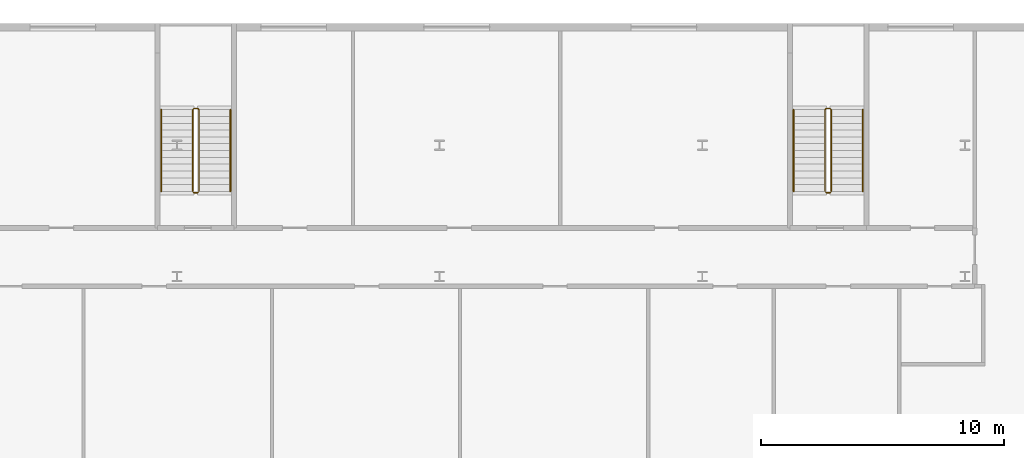
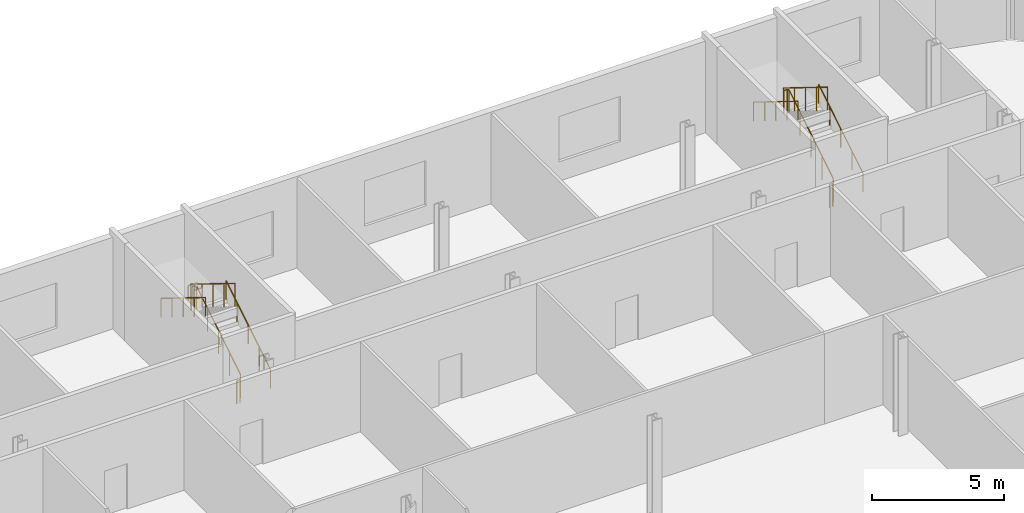
# One storey, part 47 of 47: 8 railings.
"""IFC4 building model written with IfcOpenShell, lengths in metres."""

import ifcopenshell
import ifcopenshell.guid

model = None  # the IFC model being written
_history = None  # IfcOwnerHistory: only IFC2X3 demands one
_inside = {}  # id of a spatial element -> (the spatial element, [elements in it])
_under = {}  # id of a project, library or spatial element -> (it, [spatial elements below it])
_declared = {}  # id of a project -> (the project, [libraries it declares])
_typed = {}  # id of a type object -> (the type object, [elements of that type])
_made_of = {}  # id of a material, layer set ... -> (it, [elements and type objects made of it])


def new_model(schema):
    """Start an empty IFC model of exactly this schema.

    Asked for "IFC4X3", IfcOpenShell would pick the latest addendum, in which some entities
    have other attributes; the version numbers below select the first issue.
    IFC2X3 requires an IfcOwnerHistory on every rooted entity: one is made here for all.
    """
    global model, _history
    if schema == "IFC4X3":
        model = ifcopenshell.file(schema_version=(4, 3, 0, 0))
    else:
        model = ifcopenshell.file(schema=schema)
    _inside.clear()
    _under.clear()
    _declared.clear()
    _typed.clear()
    _made_of.clear()
    _history = None
    if model.schema == "IFC2X3":
        org = make("IfcOrganization", Name="unknown")
        user = make(
            "IfcPersonAndOrganization",
            ThePerson=make("IfcPerson", FamilyName="unknown"),
            TheOrganization=org,
        )
        app = make(
            "IfcApplication",
            ApplicationDeveloper=org,
            Version="unknown",
            ApplicationFullName="unknown",
            ApplicationIdentifier="unknown",
        )
        _history = make(
            "IfcOwnerHistory",
            OwningUser=user,
            OwningApplication=app,
            ChangeAction="ADDED",
            CreationDate=0,
        )
    return model


def make(cls, **values):
    """One entity of the class cls with the attributes given. An attribute that is None is left unset."""
    return model.create_entity(
        cls, **{name: value for name, value in values.items() if value is not None}
    )


def rooted(cls, **values):
    """An entity with a GlobalId (a new one), such as an element, a storey or a relation."""
    return make(cls, GlobalId=ifcopenshell.guid.new(), OwnerHistory=_history, **values)


def si_unit(unit_type, name, prefix=None):
    """IfcSIUnit, for example si_unit("LENGTHUNIT", "METRE", prefix="MILLI")."""
    return make("IfcSIUnit", UnitType=unit_type, Prefix=prefix, Name=name)


def assignment(units):
    """IfcUnitAssignment: the units of a project."""
    return None if units is None else make("IfcUnitAssignment", Units=units)


def point(xyz):
    """IfcCartesianPoint."""
    return None if xyz is None else make("IfcCartesianPoint", Coordinates=xyz)


def direction(xyz):
    """IfcDirection."""
    return None if xyz is None else make("IfcDirection", DirectionRatios=xyz)


def frame(location, z_axis=None, x_axis=None):
    """IfcAxis2Placement3D, a coordinate frame: its origin and axes. An axis left out is left unset."""
    return make(
        "IfcAxis2Placement3D",
        Location=point(location),
        Axis=direction(z_axis),
        RefDirection=direction(x_axis),
    )


def frame_2d(location, x_axis=None):
    """IfcAxis2Placement2D, a coordinate frame in the plane: its origin and x axis."""
    return make(
        "IfcAxis2Placement2D", Location=point(location), RefDirection=direction(x_axis)
    )


def origin():
    """The frame at (0, 0, 0) with its axes left unset."""
    return frame((0.0, 0.0, 0.0))


def origin_2d():
    """The frame at (0, 0) in the plane with its x axis left unset."""
    return frame_2d((0.0, 0.0))


def place(relative_to, where):
    """IfcLocalPlacement: puts the frame where relative to a parent placement (None: the world)."""
    return make(
        "IfcLocalPlacement", PlacementRelTo=relative_to, RelativePlacement=where
    )


def context(
    kind, dimensions, precision=None, world=None, true_north=None, identifier=None
):
    """IfcGeometricRepresentationContext, for example the 3D "Model" context."""
    return make(
        "IfcGeometricRepresentationContext",
        ContextIdentifier=identifier,
        ContextType=kind,
        CoordinateSpaceDimension=dimensions,
        Precision=precision,
        WorldCoordinateSystem=world,
        TrueNorth=true_north,
    )


def subcontext(parent, identifier, kind, view, scale=None):
    """IfcGeometricRepresentationSubContext, for example "Body" below "Model"."""
    return make(
        "IfcGeometricRepresentationSubContext",
        ContextIdentifier=identifier,
        ContextType=kind,
        ParentContext=parent,
        TargetScale=scale,
        TargetView=view,
    )


def project(units=None, contexts=None):
    """IfcProject with its units and contexts."""
    return rooted(
        "IfcProject",
        Name="project",
        RepresentationContexts=contexts,
        UnitsInContext=assignment(units),
    )


def spatial(cls, under=None, at=None, **own):
    """A site, building, storey or space (cls), placed at a placement, below another one or the project."""
    s = rooted(cls, ObjectPlacement=at, **own)
    if under is not None:
        _under.setdefault(under.id(), (under, []))[1].append(s)
    return s


def profile(cls, at=None, kind="AREA", **sizes):
    """A parametric profile (cls). Its sizes go by their IFC names, for example OverallWidth=200.0."""
    return make(cls, ProfileType=kind, Position=at, **sizes)


def circle(**sizes):
    """IfcCircleProfileDef."""
    return profile("IfcCircleProfileDef", **sizes)


def extrude(swept, where, along, depth):
    """IfcExtrudedAreaSolid: the profile swept, set in the frame where, extruded along a direction by depth."""
    return make(
        "IfcExtrudedAreaSolid",
        SweptArea=swept,
        Position=where,
        ExtrudedDirection=direction(along),
        Depth=depth,
    )


def shape(context_of_items, identifier, shape_type, items):
    """IfcShapeRepresentation: the items that make up one representation, for example the "Body"."""
    return make(
        "IfcShapeRepresentation",
        ContextOfItems=context_of_items,
        RepresentationIdentifier=identifier,
        RepresentationType=shape_type,
        Items=items,
    )


def material(Name=None, Category=None):
    """IfcMaterial."""
    return make("IfcMaterial", Name=Name, Category=Category)


def made_of(thing, what):
    """Note that an element or type object is made of a material, layer set ...; save() writes the relation."""
    if what is not None:
        _made_of.setdefault(what.id(), (what, []))[1].append(thing)
    return thing


def type_object(cls, material=None, **own):
    """A type object (cls), such as IfcWallType, which elements share."""
    return made_of(rooted(cls, **own), material)


def element(
    cls,
    number,
    at=None,
    inside=None,
    cuts=None,
    type_object=None,
    material=None,
    context=None,
    identifier="Body",
    shape_type=None,
    held_by="IfcProductDefinitionShape",
    body=None,
    shapes=None,
    **own,
):
    """One element of the class cls, such as IfcWall. Its Tag is "e" and its number.

    at: its placement. inside: the storey or other place that contains it. cuts: it is an
    opening in that element (IfcRelVoidsElement). A single representation is given by context,
    identifier, shape_type and body (its items); several are given by shapes. held_by: the class
    of the entity that holds the representations. save() writes the other relations.
    """
    e = rooted(cls, Tag="e%d" % number, ObjectPlacement=at, **own)
    if body is not None:
        shapes = [shape(context, identifier, shape_type, body)]
    if shapes is not None:
        e.Representation = make(held_by, Representations=shapes)
    if inside is not None:
        _inside.setdefault(inside.id(), (inside, []))[1].append(e)
    if cuts is not None:
        rooted(
            "IfcRelVoidsElement", RelatingBuildingElement=cuts, RelatedOpeningElement=e
        )
    if type_object is not None:
        _typed.setdefault(type_object.id(), (type_object, []))[1].append(e)
    return made_of(e, material)


def aggregate(whole, parts):
    """IfcRelAggregates: a whole, such as a stair, and the parts it consists of."""
    return rooted("IfcRelAggregates", RelatingObject=whole, RelatedObjects=parts)


def save(model, path):
    """Write the relations noted so far, then the file.

    IfcRelAggregates (storeys below a building ...), IfcRelContainedInSpatialStructure (elements
    in a storey), IfcRelDefinesByType, IfcRelAssociatesMaterial and IfcRelDeclares: one each for
    every whole, place, type object, material and project.
    """
    for whole, parts in _under.values():
        aggregate(whole, parts)
    for where, things in _inside.values():
        rooted(
            "IfcRelContainedInSpatialStructure",
            RelatedElements=things,
            RelatingStructure=where,
        )
    for kind, things in _typed.values():
        rooted("IfcRelDefinesByType", RelatedObjects=things, RelatingType=kind)
    for what, things in _made_of.values():
        rooted("IfcRelAssociatesMaterial", RelatedObjects=things, RelatingMaterial=what)
    for by, libraries in _declared.values():
        rooted("IfcRelDeclares", RelatingContext=by, RelatedDefinitions=libraries)
    model.write(path)


model = new_model("IFC4")

# Units and contexts
model_context = context("Model", 3, precision=1e-05, world=origin(), true_north=direction((0.0, 1.0)))
body_context = subcontext(model_context, "Body", "Model", "MODEL_VIEW")
ifc_project = project(units=[si_unit("LENGTHUNIT", "METRE"), si_unit("AREAUNIT", "SQUARE_METRE"), si_unit("VOLUMEUNIT", "CUBIC_METRE"), si_unit("PLANEANGLEUNIT", "RADIAN"), si_unit("MASSUNIT", "GRAM", prefix="KILO")], contexts=[model_context])

# Site, building, storey
site_placement = place(None, origin())
site = spatial("IfcSite", under=ifc_project, at=site_placement, CompositionType="ELEMENT")
building_placement = place(site_placement, origin())
building = spatial("IfcBuilding", under=site, at=building_placement, Name="Kheshtan School and Residences Tower", CompositionType="ELEMENT")
storey_placement = place(building_placement, frame((0.0, 0.0, 21.5)))
storey = spatial("IfcBuildingStorey", under=building, at=storey_placement, Name="L04", CompositionType="ELEMENT", Elevation=21.5)

# Railings
ifc_material_1 = material(Name="Stainless steel balustrade", Category="steel")
railing_type_1 = type_object("IfcRailingType", Name="Stair guard 1100", PredefinedType="GUARDRAIL", material=ifc_material_1)
railing_1_placement = place(storey_placement, frame((91.699951171875, 103.10009765625, 0.173095703125)))
element("IfcRailing", 1, at=railing_1_placement, inside=storey, type_object=railing_type_1, Name="L04 PS-090-102 stair guard 1", PredefinedType="GUARDRAIL", context=body_context, shape_type="SweptSolid", body=[
    extrude(circle(Radius=0.02392578125, at=origin_2d()), frame((0.0, 0.0, 1.076171875), z_axis=(0.0, 0.850606129759, 0.525803396734), x_axis=(-1.0, 0.0, 0.0)), (0.0, 0.0, 1.0), 3.949951171875),
    extrude(circle(Radius=0.02392578125, at=origin_2d()), frame((0.0, 3.35986328125, 3.15283203125), z_axis=(-0.707106781187, 0.707106781187, 0.0), x_axis=(-0.707106781187, -0.707106781187, 0.0)), (0.0, 0.0, 1.0), 0.07080078125),
    extrude(circle(Radius=0.02392578125, at=origin_2d()), frame((-0.050048828125, 3.409912109375, 3.15283203125), z_axis=(-1.0, 0.0, 0.0), x_axis=(0.0, -1.0, 0.0)), (0.0, 0.0, 1.0), 0.14990234375),
    extrude(circle(Radius=0.02392578125, at=origin_2d()), frame((-0.199951171875, 3.409912109375, 3.15283203125), z_axis=(-0.267629722418, -0.267629722418, 0.925607186314), x_axis=(0.707106781187, -0.707106781187, 0.0)), (0.0, 0.0, 1.0), 0.18701171875),
    extrude(circle(Radius=0.02392578125, at=origin_2d()), frame((-0.25, 3.35986328125, 3.326171875), z_axis=(0.0, -0.850606129759, 0.525803396734), x_axis=(1.0, 0.0, 0.0)), (0.0, 0.0, 1.0), 3.949951171875),
    extrude(circle(Radius=0.02099609375, at=origin_2d()), origin(), (0.0, 0.0, 1.0), 1.052001953125),
    extrude(circle(Radius=0.02099609375, at=origin_2d()), frame((0.0, 0.83984375, 0.519287109375)), (0.0, 0.0, 1.0), 1.052001953125),
    extrude(circle(Radius=0.02099609375, at=origin_2d()), frame((0.0, 1.679931640625, 1.03857421875)), (0.0, 0.0, 1.0), 1.052001953125),
    extrude(circle(Radius=0.02099609375, at=origin_2d()), frame((0.0, 2.52001953125, 1.5576171875)), (0.0, 0.0, 1.0), 1.052001953125),
    extrude(circle(Radius=0.02099609375, at=origin_2d()), frame((0.0, 3.35986328125, 2.076904296875)), (0.0, 0.0, 1.0), 1.052001953125),
    extrude(circle(Radius=0.02099609375, at=origin_2d()), frame((-0.050048828125, 3.409912109375, 2.076904296875)), (0.0, 0.0, 1.0), 1.052001953125),
    extrude(circle(Radius=0.02099609375, at=origin_2d()), frame((-0.199951171875, 3.409912109375, 2.076904296875)), (0.0, 0.0, 1.0), 1.052001953125),
    extrude(circle(Radius=0.02099609375, at=origin_2d()), frame((-0.25, 3.35986328125, 2.25)), (0.0, 0.0, 1.0), 1.052001953125),
    extrude(circle(Radius=0.02099609375, at=origin_2d()), frame((-0.25, 2.52001953125, 2.769287109375)), (0.0, 0.0, 1.0), 1.052001953125),
    extrude(circle(Radius=0.02099609375, at=origin_2d()), frame((-0.25, 1.679931640625, 3.28857421875)), (0.0, 0.0, 1.0), 1.052001953125),
    extrude(circle(Radius=0.02099609375, at=origin_2d()), frame((-0.25, 0.83984375, 3.8076171875)), (0.0, 0.0, 1.0), 1.052001953125),
    extrude(circle(Radius=0.02099609375, at=origin_2d()), frame((-0.25, 0.0, 4.326904296875)), (0.0, 0.0, 1.0), 1.052001953125),
])
railing_2_placement = place(storey_placement, frame((91.64990234375, 103.050048828125, 0.0)))
element("IfcRailing", 2, at=railing_2_placement, inside=storey, type_object=railing_type_1, Name="L04 PS-090-102 stair guard 2", PredefinedType="GUARDRAIL", context=body_context, shape_type="SweptSolid", body=[
    extrude(circle(Radius=0.02392578125, at=origin_2d()), frame((0.0, 0.0, 1.076171875), z_axis=(-1.0, 0.0, 0.0), x_axis=(0.0, -1.0, 0.0)), (0.0, 0.0, 1.0), 0.14990234375),
    extrude(circle(Radius=0.02099609375, at=origin_2d()), origin(), (0.0, 0.0, 1.0), 1.052001953125),
    extrude(circle(Radius=0.02099609375, at=origin_2d()), frame((-0.14990234375, 0.0, 0.0)), (0.0, 0.0, 1.0), 1.052001953125),
])
railing_3_placement = place(storey_placement, frame((117.699951171875, 103.10009765625, 0.173095703125)))
element("IfcRailing", 3, at=railing_3_placement, inside=storey, type_object=railing_type_1, Name="L04 PS-116-102 stair guard 1", PredefinedType="GUARDRAIL", context=body_context, shape_type="SweptSolid", body=[
    extrude(circle(Radius=0.02392578125, at=origin_2d()), frame((0.0, 0.0, 1.076171875), z_axis=(0.0, 0.850606129759, 0.525803396734), x_axis=(-1.0, 0.0, 0.0)), (0.0, 0.0, 1.0), 3.949951171875),
    extrude(circle(Radius=0.02392578125, at=origin_2d()), frame((0.0, 3.35986328125, 3.15283203125), z_axis=(-0.707106781187, 0.707106781187, 0.0), x_axis=(-0.707106781187, -0.707106781187, 0.0)), (0.0, 0.0, 1.0), 0.07080078125),
    extrude(circle(Radius=0.02392578125, at=origin_2d()), frame((-0.050048828125, 3.409912109375, 3.15283203125), z_axis=(-1.0, 0.0, 0.0), x_axis=(0.0, -1.0, 0.0)), (0.0, 0.0, 1.0), 0.14990234375),
    extrude(circle(Radius=0.02392578125, at=origin_2d()), frame((-0.199951171875, 3.409912109375, 3.15283203125), z_axis=(-0.267629722418, -0.267629722418, 0.925607186314), x_axis=(0.707106781187, -0.707106781187, 0.0)), (0.0, 0.0, 1.0), 0.18701171875),
    extrude(circle(Radius=0.02392578125, at=origin_2d()), frame((-0.25, 3.35986328125, 3.326171875), z_axis=(0.0, -0.850606129759, 0.525803396734), x_axis=(1.0, 0.0, 0.0)), (0.0, 0.0, 1.0), 3.949951171875),
    extrude(circle(Radius=0.02099609375, at=origin_2d()), origin(), (0.0, 0.0, 1.0), 1.052001953125),
    extrude(circle(Radius=0.02099609375, at=origin_2d()), frame((0.0, 0.83984375, 0.519287109375)), (0.0, 0.0, 1.0), 1.052001953125),
    extrude(circle(Radius=0.02099609375, at=origin_2d()), frame((0.0, 1.679931640625, 1.03857421875)), (0.0, 0.0, 1.0), 1.052001953125),
    extrude(circle(Radius=0.02099609375, at=origin_2d()), frame((0.0, 2.52001953125, 1.5576171875)), (0.0, 0.0, 1.0), 1.052001953125),
    extrude(circle(Radius=0.02099609375, at=origin_2d()), frame((0.0, 3.35986328125, 2.076904296875)), (0.0, 0.0, 1.0), 1.052001953125),
    extrude(circle(Radius=0.02099609375, at=origin_2d()), frame((-0.050048828125, 3.409912109375, 2.076904296875)), (0.0, 0.0, 1.0), 1.052001953125),
    extrude(circle(Radius=0.02099609375, at=origin_2d()), frame((-0.199951171875, 3.409912109375, 2.076904296875)), (0.0, 0.0, 1.0), 1.052001953125),
    extrude(circle(Radius=0.02099609375, at=origin_2d()), frame((-0.25, 3.35986328125, 2.25)), (0.0, 0.0, 1.0), 1.052001953125),
    extrude(circle(Radius=0.02099609375, at=origin_2d()), frame((-0.25, 2.52001953125, 2.769287109375)), (0.0, 0.0, 1.0), 1.052001953125),
    extrude(circle(Radius=0.02099609375, at=origin_2d()), frame((-0.25, 1.679931640625, 3.28857421875)), (0.0, 0.0, 1.0), 1.052001953125),
    extrude(circle(Radius=0.02099609375, at=origin_2d()), frame((-0.25, 0.83984375, 3.8076171875)), (0.0, 0.0, 1.0), 1.052001953125),
    extrude(circle(Radius=0.02099609375, at=origin_2d()), frame((-0.25, 0.0, 4.326904296875)), (0.0, 0.0, 1.0), 1.052001953125),
])
railing_4_placement = place(storey_placement, frame((117.64990234375, 103.050048828125, 0.0)))
element("IfcRailing", 4, at=railing_4_placement, inside=storey, type_object=railing_type_1, Name="L04 PS-116-102 stair guard 2", PredefinedType="GUARDRAIL", context=body_context, shape_type="SweptSolid", body=[
    extrude(circle(Radius=0.02392578125, at=origin_2d()), frame((0.0, 0.0, 1.076171875), z_axis=(-1.0, 0.0, 0.0), x_axis=(0.0, -1.0, 0.0)), (0.0, 0.0, 1.0), 0.14990234375),
    extrude(circle(Radius=0.02099609375, at=origin_2d()), origin(), (0.0, 0.0, 1.0), 1.052001953125),
    extrude(circle(Radius=0.02099609375, at=origin_2d()), frame((-0.14990234375, 0.0, 0.0)), (0.0, 0.0, 1.0), 1.052001953125),
])
ifc_material_2 = material(Name="Stainless steel handrail", Category="steel")
railing_type_2 = type_object("IfcRailingType", Name="Stair handrail 900", PredefinedType="HANDRAIL", material=ifc_material_2)
railing_5_placement = place(storey_placement, frame((93.0, 103.10009765625, 0.173095703125)))
element("IfcRailing", 5, at=railing_5_placement, inside=storey, type_object=railing_type_2, Name="L04 PS-090-102 stair handrail 1", PredefinedType="HANDRAIL", context=body_context, shape_type="SweptSolid", body=[
    extrude(circle(Radius=0.02392578125, at=origin_2d()), frame((0.0, 0.0, 0.8759765625), z_axis=(0.0, 0.850606129759, 0.525803396734), x_axis=(-1.0, 0.0, 0.0)), (0.0, 0.0, 1.0), 3.949951171875),
    extrude(circle(Radius=0.02099609375, at=origin_2d()), origin(), (0.0, 0.0, 1.0), 0.851806640625),
    extrude(circle(Radius=0.02099609375, at=origin_2d()), frame((0.0, 0.83984375, 0.519287109375)), (0.0, 0.0, 1.0), 0.851806640625),
    extrude(circle(Radius=0.02099609375, at=origin_2d()), frame((0.0, 1.679931640625, 1.03857421875)), (0.0, 0.0, 1.0), 0.851806640625),
    extrude(circle(Radius=0.02099609375, at=origin_2d()), frame((0.0, 2.52001953125, 1.5576171875)), (0.0, 0.0, 1.0), 0.851806640625),
    extrude(circle(Radius=0.02099609375, at=origin_2d()), frame((0.0, 3.35986328125, 2.076904296875)), (0.0, 0.0, 1.0), 0.851806640625),
])
railing_6_placement = place(storey_placement, frame((90.14990234375, 106.4599609375, 2.423095703125)))
element("IfcRailing", 6, at=railing_6_placement, inside=storey, type_object=railing_type_2, Name="L04 PS-090-102 stair handrail 2", PredefinedType="HANDRAIL", context=body_context, shape_type="SweptSolid", body=[
    extrude(circle(Radius=0.02392578125, at=origin_2d()), frame((0.0, 0.0, 0.8759765625), z_axis=(0.0, -0.850606129759, 0.525803396734), x_axis=(1.0, 0.0, 0.0)), (0.0, 0.0, 1.0), 3.949951171875),
    extrude(circle(Radius=0.02099609375, at=origin_2d()), origin(), (0.0, 0.0, 1.0), 0.851806640625),
    extrude(circle(Radius=0.02099609375, at=origin_2d()), frame((0.0, -0.83984375, 0.519287109375)), (0.0, 0.0, 1.0), 0.851806640625),
    extrude(circle(Radius=0.02099609375, at=origin_2d()), frame((0.0, -1.679931640625, 1.03857421875)), (0.0, 0.0, 1.0), 0.851806640625),
    extrude(circle(Radius=0.02099609375, at=origin_2d()), frame((0.0, -2.52001953125, 1.5576171875)), (0.0, 0.0, 1.0), 0.851806640625),
    extrude(circle(Radius=0.02099609375, at=origin_2d()), frame((0.0, -3.35986328125, 2.076904296875)), (0.0, 0.0, 1.0), 0.851806640625),
])
railing_7_placement = place(storey_placement, frame((119.0, 103.10009765625, 0.173095703125)))
element("IfcRailing", 7, at=railing_7_placement, inside=storey, type_object=railing_type_2, Name="L04 PS-116-102 stair handrail 1", PredefinedType="HANDRAIL", context=body_context, shape_type="SweptSolid", body=[
    extrude(circle(Radius=0.02392578125, at=origin_2d()), frame((0.0, 0.0, 0.8759765625), z_axis=(0.0, 0.850606129759, 0.525803396734), x_axis=(-1.0, 0.0, 0.0)), (0.0, 0.0, 1.0), 3.949951171875),
    extrude(circle(Radius=0.02099609375, at=origin_2d()), origin(), (0.0, 0.0, 1.0), 0.851806640625),
    extrude(circle(Radius=0.02099609375, at=origin_2d()), frame((0.0, 0.83984375, 0.519287109375)), (0.0, 0.0, 1.0), 0.851806640625),
    extrude(circle(Radius=0.02099609375, at=origin_2d()), frame((0.0, 1.679931640625, 1.03857421875)), (0.0, 0.0, 1.0), 0.851806640625),
    extrude(circle(Radius=0.02099609375, at=origin_2d()), frame((0.0, 2.52001953125, 1.5576171875)), (0.0, 0.0, 1.0), 0.851806640625),
    extrude(circle(Radius=0.02099609375, at=origin_2d()), frame((0.0, 3.35986328125, 2.076904296875)), (0.0, 0.0, 1.0), 0.851806640625),
])
railing_8_placement = place(storey_placement, frame((116.14990234375, 106.4599609375, 2.423095703125)))
element("IfcRailing", 8, at=railing_8_placement, inside=storey, type_object=railing_type_2, Name="L04 PS-116-102 stair handrail 2", PredefinedType="HANDRAIL", context=body_context, shape_type="SweptSolid", body=[
    extrude(circle(Radius=0.02392578125, at=origin_2d()), frame((0.0, 0.0, 0.8759765625), z_axis=(0.0, -0.850606129759, 0.525803396734), x_axis=(1.0, 0.0, 0.0)), (0.0, 0.0, 1.0), 3.949951171875),
    extrude(circle(Radius=0.02099609375, at=origin_2d()), origin(), (0.0, 0.0, 1.0), 0.851806640625),
    extrude(circle(Radius=0.02099609375, at=origin_2d()), frame((0.0, -0.83984375, 0.519287109375)), (0.0, 0.0, 1.0), 0.851806640625),
    extrude(circle(Radius=0.02099609375, at=origin_2d()), frame((0.0, -1.679931640625, 1.03857421875)), (0.0, 0.0, 1.0), 0.851806640625),
    extrude(circle(Radius=0.02099609375, at=origin_2d()), frame((0.0, -2.52001953125, 1.5576171875)), (0.0, 0.0, 1.0), 0.851806640625),
    extrude(circle(Radius=0.02099609375, at=origin_2d()), frame((0.0, -3.35986328125, 2.076904296875)), (0.0, 0.0, 1.0), 0.851806640625),
])

save(model, "model.ifc")
